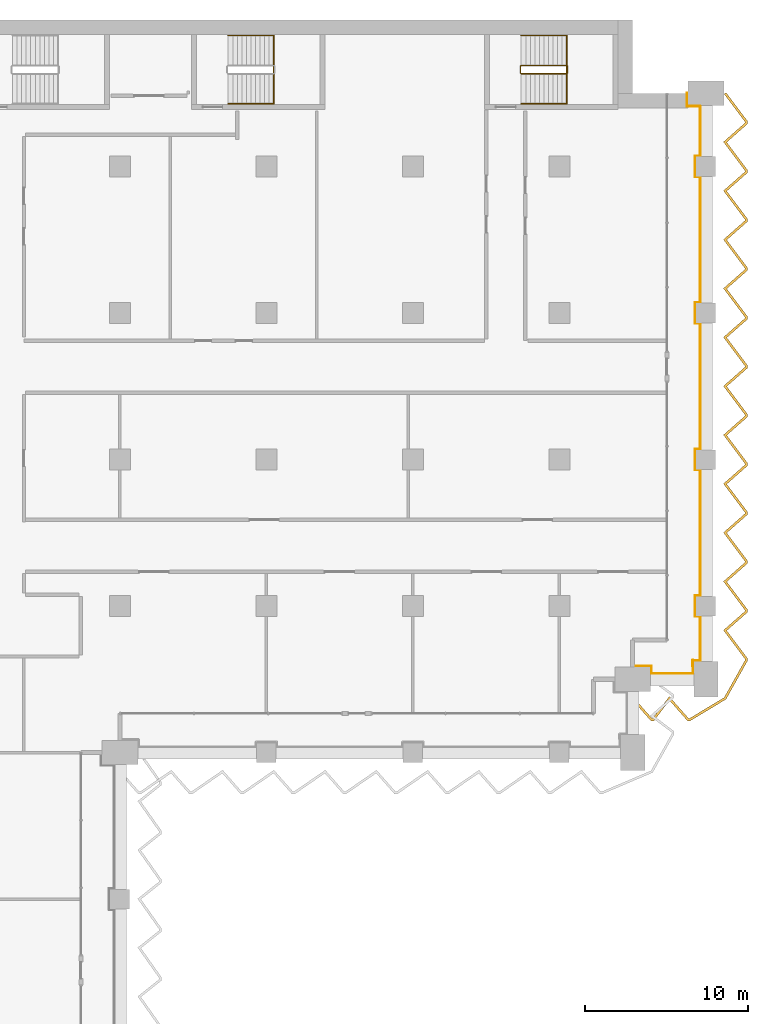
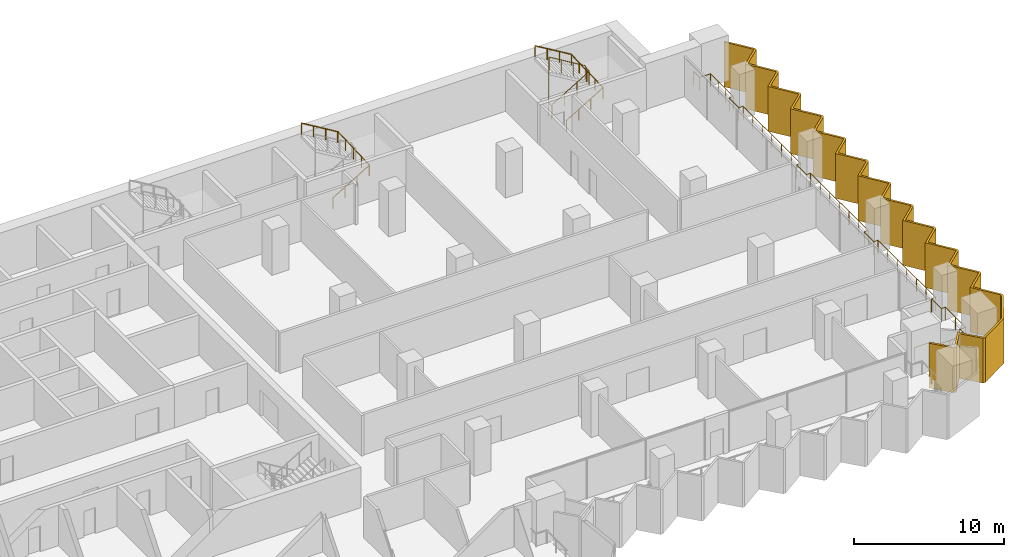
# One storey, part 23 of 23: 4 railings, 1 shading device.
"""IFC4 building model written with IfcOpenShell, lengths in metres."""

from ifc_helpers import new_model, si_unit, direction, frame, origin, origin_2d, place, context, subcontext, project, spatial, polyline, circle, outline, extrude, material, layer, layer_set, type_object, element, save


model = new_model("IFC4")

# Units and contexts
model_context = context("Model", 3, precision=1e-05, world=origin(), true_north=direction((0.0, 1.0)))
body_context = subcontext(model_context, "Body", "Model", "MODEL_VIEW")
ifc_project = project(units=[si_unit("LENGTHUNIT", "METRE"), si_unit("AREAUNIT", "SQUARE_METRE"), si_unit("VOLUMEUNIT", "CUBIC_METRE"), si_unit("PLANEANGLEUNIT", "RADIAN"), si_unit("MASSUNIT", "GRAM", prefix="KILO")], contexts=[model_context])

# Site, building, storey
site_placement = place(None, origin())
site = spatial("IfcSite", under=ifc_project, at=site_placement, CompositionType="ELEMENT")
building_placement = place(site_placement, origin())
building = spatial("IfcBuilding", under=site, at=building_placement, Name="Hunhe Ridgeline Campus", CompositionType="ELEMENT")
storey_placement = place(building_placement, frame((0.0, 0.0, 110.699951171875)))
storey = spatial("IfcBuildingStorey", under=building, at=storey_placement, Name="L27", CompositionType="ELEMENT", Elevation=110.699951171875)

# Railing
ifc_material_1 = material(Name="Steel Q355", Category="steel")
railing_type_1 = type_object("IfcRailingType", Name="Loggia guard 1100 Steel Q355", PredefinedType="GUARDRAIL", material=ifc_material_1)
railing_1_placement = place(storey_placement, frame((76.5, 59.320068359375, 0.0)))
element("IfcRailing", 1, at=railing_1_placement, inside=storey, type_object=railing_type_1, Name="Loggia guard 3", PredefinedType="GUARDRAIL", context=body_context, shape_type="SweptSolid", body=[
    extrude(circle(Radius=0.02392578125, at=origin_2d()), frame((0.0, 0.0, 1.076171875), z_axis=(1.0, 0.0, 0.0), x_axis=(0.0, 1.0, 0.0)), (0.0, 0.0, 1.0), 1.14990234375),
    extrude(circle(Radius=0.02392578125, at=origin_2d()), frame((1.14990234375, 0.0, 1.076171875), z_axis=(0.0, -1.0, 0.0), x_axis=(1.0, 0.0, 0.0)), (0.0, 0.0, 1.0), 0.469970703125),
    extrude(circle(Radius=0.02392578125, at=origin_2d()), frame((1.14990234375, -0.469970703125, 1.076171875), z_axis=(1.0, 0.0, 0.0), x_axis=(0.0, 1.0, 0.0)), (0.0, 0.0, 1.0), 2.550048828125),
    extrude(circle(Radius=0.02392578125, at=origin_2d()), frame((3.699951171875, -0.469970703125, 1.076171875), z_axis=(0.0, 1.0, 0.0), x_axis=(-1.0, 0.0, 0.0)), (0.0, 0.0, 1.0), 0.81982421875),
    extrude(circle(Radius=0.02392578125, at=origin_2d()), frame((3.699951171875, 0.349853515625, 1.076171875), z_axis=(-0.057129153726, -0.99836679622, 0.0), x_axis=(0.99836679622, -0.057129153726, 0.0)), (0.0, 0.0, 1.0), 0.350341796875),
    extrude(circle(Radius=0.02392578125, at=origin_2d()), frame((3.679931640625, 0.0, 1.076171875), z_axis=(0.0, 1.0, 0.0), x_axis=(-1.0, 0.0, 0.0)), (0.0, 0.0, 1.0), 0.329833984375),
    extrude(circle(Radius=0.02392578125, at=origin_2d()), frame((3.679931640625, 0.329833984375, 1.076171875), z_axis=(1.0, 0.0, 0.0), x_axis=(0.0, 1.0, 0.0)), (0.0, 0.0, 1.0), 0.469970703125),
    extrude(circle(Radius=0.02392578125, at=origin_2d()), frame((4.14990234375, 0.329833984375, 1.076171875), z_axis=(0.0, 1.0, 0.0), x_axis=(-1.0, 0.0, 0.0)), (0.0, 0.0, 1.0), 2.7001953125),
    extrude(circle(Radius=0.02392578125, at=origin_2d()), frame((4.14990234375, 3.030029296875, 1.076171875), z_axis=(-1.0, 0.0, 0.0), x_axis=(0.0, -1.0, 0.0)), (0.0, 0.0, 1.0), 0.31982421875),
    extrude(circle(Radius=0.02392578125, at=origin_2d()), frame((3.830078125, 3.030029296875, 1.076171875), z_axis=(0.0, 1.0, 0.0), x_axis=(-1.0, 0.0, 0.0)), (0.0, 0.0, 1.0), 1.2998046875),
    extrude(circle(Radius=0.02392578125, at=origin_2d()), frame((3.830078125, 4.329833984375, 1.076171875), z_axis=(1.0, 0.0, 0.0), x_axis=(0.0, 1.0, 0.0)), (0.0, 0.0, 1.0), 0.31982421875),
    extrude(circle(Radius=0.02392578125, at=origin_2d()), frame((4.14990234375, 4.329833984375, 1.076171875), z_axis=(0.0, 1.0, 0.0), x_axis=(-1.0, 0.0, 0.0)), (0.0, 0.0, 1.0), 7.7001953125),
    extrude(circle(Radius=0.02392578125, at=origin_2d()), frame((4.14990234375, 12.030029296875, 1.076171875), z_axis=(-1.0, 0.0, 0.0), x_axis=(0.0, -1.0, 0.0)), (0.0, 0.0, 1.0), 0.31982421875),
    extrude(circle(Radius=0.02392578125, at=origin_2d()), frame((3.830078125, 12.030029296875, 1.076171875), z_axis=(0.0, 1.0, 0.0), x_axis=(-1.0, 0.0, 0.0)), (0.0, 0.0, 1.0), 1.2998046875),
    extrude(circle(Radius=0.02392578125, at=origin_2d()), frame((3.830078125, 13.329833984375, 1.076171875), z_axis=(1.0, 0.0, 0.0), x_axis=(0.0, 1.0, 0.0)), (0.0, 0.0, 1.0), 0.31982421875),
    extrude(circle(Radius=0.02392578125, at=origin_2d()), frame((4.14990234375, 13.329833984375, 1.076171875), z_axis=(0.0, 1.0, 0.0), x_axis=(-1.0, 0.0, 0.0)), (0.0, 0.0, 1.0), 7.7001953125),
    extrude(circle(Radius=0.02392578125, at=origin_2d()), frame((4.14990234375, 21.030029296875, 1.076171875), z_axis=(-1.0, 0.0, 0.0), x_axis=(0.0, -1.0, 0.0)), (0.0, 0.0, 1.0), 0.31982421875),
    extrude(circle(Radius=0.02392578125, at=origin_2d()), frame((3.830078125, 21.030029296875, 1.076171875), z_axis=(0.0, 1.0, 0.0), x_axis=(-1.0, 0.0, 0.0)), (0.0, 0.0, 1.0), 1.2998046875),
    extrude(circle(Radius=0.02392578125, at=origin_2d()), frame((3.830078125, 22.329833984375, 1.076171875), z_axis=(1.0, 0.0, 0.0), x_axis=(0.0, 1.0, 0.0)), (0.0, 0.0, 1.0), 0.31982421875),
    extrude(circle(Radius=0.02392578125, at=origin_2d()), frame((4.14990234375, 22.329833984375, 1.076171875), z_axis=(0.0, 1.0, 0.0), x_axis=(-1.0, 0.0, 0.0)), (0.0, 0.0, 1.0), 7.7001953125),
    extrude(circle(Radius=0.02392578125, at=origin_2d()), frame((4.14990234375, 30.030029296875, 1.076171875), z_axis=(-1.0, 0.0, 0.0), x_axis=(0.0, -1.0, 0.0)), (0.0, 0.0, 1.0), 0.31982421875),
    extrude(circle(Radius=0.02392578125, at=origin_2d()), frame((3.830078125, 30.030029296875, 1.076171875), z_axis=(0.0, 1.0, 0.0), x_axis=(-1.0, 0.0, 0.0)), (0.0, 0.0, 1.0), 1.2998046875),
    extrude(circle(Radius=0.02392578125, at=origin_2d()), frame((3.830078125, 31.329833984375, 1.076171875), z_axis=(1.0, 0.0, 0.0), x_axis=(0.0, 1.0, 0.0)), (0.0, 0.0, 1.0), 0.31982421875),
    extrude(circle(Radius=0.02392578125, at=origin_2d()), frame((4.14990234375, 31.329833984375, 1.076171875), z_axis=(0.0, 1.0, 0.0), x_axis=(-1.0, 0.0, 0.0)), (0.0, 0.0, 1.0), 3.050048828125),
    extrude(circle(Radius=0.02392578125, at=origin_2d()), frame((4.14990234375, 34.3798828125, 1.076171875), z_axis=(-1.0, 0.0, 0.0), x_axis=(0.0, -1.0, 0.0)), (0.0, 0.0, 1.0), 0.81982421875),
    extrude(circle(Radius=0.02392578125, at=origin_2d()), frame((3.330078125, 34.3798828125, 1.076171875), z_axis=(0.0, 1.0, 0.0), x_axis=(-1.0, 0.0, 0.0)), (0.0, 0.0, 1.0), 0.800048828125),
    extrude(circle(Radius=0.02099609375, at=origin_2d()), origin(), (0.0, 0.0, 1.0), 1.052001953125),
    extrude(circle(Radius=0.02099609375, at=origin_2d()), frame((1.14990234375, 0.0, 0.0)), (0.0, 0.0, 1.0), 1.052001953125),
    extrude(circle(Radius=0.02099609375, at=origin_2d()), frame((1.14990234375, -0.469970703125, 0.0)), (0.0, 0.0, 1.0), 1.052001953125),
    extrude(circle(Radius=0.02099609375, at=origin_2d()), frame((2.4248046875, -0.469970703125, 0.0)), (0.0, 0.0, 1.0), 1.052001953125),
    extrude(circle(Radius=0.02099609375, at=origin_2d()), frame((3.699951171875, -0.469970703125, 0.0)), (0.0, 0.0, 1.0), 1.052001953125),
    extrude(circle(Radius=0.02099609375, at=origin_2d()), frame((3.699951171875, 0.349853515625, 0.0)), (0.0, 0.0, 1.0), 1.052001953125),
    extrude(circle(Radius=0.02099609375, at=origin_2d()), frame((3.679931640625, 0.0, 0.0)), (0.0, 0.0, 1.0), 1.052001953125),
    extrude(circle(Radius=0.02099609375, at=origin_2d()), frame((3.679931640625, 0.329833984375, 0.0)), (0.0, 0.0, 1.0), 1.052001953125),
    extrude(circle(Radius=0.02099609375, at=origin_2d()), frame((4.14990234375, 0.329833984375, 0.0)), (0.0, 0.0, 1.0), 1.052001953125),
    extrude(circle(Radius=0.02099609375, at=origin_2d()), frame((4.14990234375, 1.679931640625, 0.0)), (0.0, 0.0, 1.0), 1.052001953125),
    extrude(circle(Radius=0.02099609375, at=origin_2d()), frame((4.14990234375, 3.030029296875, 0.0)), (0.0, 0.0, 1.0), 1.052001953125),
    extrude(circle(Radius=0.02099609375, at=origin_2d()), frame((3.830078125, 3.030029296875, 0.0)), (0.0, 0.0, 1.0), 1.052001953125),
    extrude(circle(Radius=0.02099609375, at=origin_2d()), frame((3.830078125, 4.329833984375, 0.0)), (0.0, 0.0, 1.0), 1.052001953125),
    extrude(circle(Radius=0.02099609375, at=origin_2d()), frame((4.14990234375, 4.329833984375, 0.0)), (0.0, 0.0, 1.0), 1.052001953125),
    extrude(circle(Radius=0.02099609375, at=origin_2d()), frame((4.14990234375, 5.61328125, 0.0)), (0.0, 0.0, 1.0), 1.052001953125),
    extrude(circle(Radius=0.02099609375, at=origin_2d()), frame((4.14990234375, 6.896484375, 0.0)), (0.0, 0.0, 1.0), 1.052001953125),
    extrude(circle(Radius=0.02099609375, at=origin_2d()), frame((4.14990234375, 8.179931640625, 0.0)), (0.0, 0.0, 1.0), 1.052001953125),
    extrude(circle(Radius=0.02099609375, at=origin_2d()), frame((4.14990234375, 9.46337890625, 0.0)), (0.0, 0.0, 1.0), 1.052001953125),
    extrude(circle(Radius=0.02099609375, at=origin_2d()), frame((4.14990234375, 10.74658203125, 0.0)), (0.0, 0.0, 1.0), 1.052001953125),
    extrude(circle(Radius=0.02099609375, at=origin_2d()), frame((4.14990234375, 12.030029296875, 0.0)), (0.0, 0.0, 1.0), 1.052001953125),
    extrude(circle(Radius=0.02099609375, at=origin_2d()), frame((3.830078125, 12.030029296875, 0.0)), (0.0, 0.0, 1.0), 1.052001953125),
    extrude(circle(Radius=0.02099609375, at=origin_2d()), frame((3.830078125, 13.329833984375, 0.0)), (0.0, 0.0, 1.0), 1.052001953125),
    extrude(circle(Radius=0.02099609375, at=origin_2d()), frame((4.14990234375, 13.329833984375, 0.0)), (0.0, 0.0, 1.0), 1.052001953125),
    extrude(circle(Radius=0.02099609375, at=origin_2d()), frame((4.14990234375, 14.61328125, 0.0)), (0.0, 0.0, 1.0), 1.052001953125),
    extrude(circle(Radius=0.02099609375, at=origin_2d()), frame((4.14990234375, 15.896484375, 0.0)), (0.0, 0.0, 1.0), 1.052001953125),
    extrude(circle(Radius=0.02099609375, at=origin_2d()), frame((4.14990234375, 17.179931640625, 0.0)), (0.0, 0.0, 1.0), 1.052001953125),
    extrude(circle(Radius=0.02099609375, at=origin_2d()), frame((4.14990234375, 18.46337890625, 0.0)), (0.0, 0.0, 1.0), 1.052001953125),
    extrude(circle(Radius=0.02099609375, at=origin_2d()), frame((4.14990234375, 19.74658203125, 0.0)), (0.0, 0.0, 1.0), 1.052001953125),
    extrude(circle(Radius=0.02099609375, at=origin_2d()), frame((4.14990234375, 21.030029296875, 0.0)), (0.0, 0.0, 1.0), 1.052001953125),
    extrude(circle(Radius=0.02099609375, at=origin_2d()), frame((3.830078125, 21.030029296875, 0.0)), (0.0, 0.0, 1.0), 1.052001953125),
    extrude(circle(Radius=0.02099609375, at=origin_2d()), frame((3.830078125, 22.329833984375, 0.0)), (0.0, 0.0, 1.0), 1.052001953125),
    extrude(circle(Radius=0.02099609375, at=origin_2d()), frame((4.14990234375, 22.329833984375, 0.0)), (0.0, 0.0, 1.0), 1.052001953125),
    extrude(circle(Radius=0.02099609375, at=origin_2d()), frame((4.14990234375, 23.61328125, 0.0)), (0.0, 0.0, 1.0), 1.052001953125),
    extrude(circle(Radius=0.02099609375, at=origin_2d()), frame((4.14990234375, 24.896484375, 0.0)), (0.0, 0.0, 1.0), 1.052001953125),
    extrude(circle(Radius=0.02099609375, at=origin_2d()), frame((4.14990234375, 26.179931640625, 0.0)), (0.0, 0.0, 1.0), 1.052001953125),
    extrude(circle(Radius=0.02099609375, at=origin_2d()), frame((4.14990234375, 27.46337890625, 0.0)), (0.0, 0.0, 1.0), 1.052001953125),
    extrude(circle(Radius=0.02099609375, at=origin_2d()), frame((4.14990234375, 28.74658203125, 0.0)), (0.0, 0.0, 1.0), 1.052001953125),
    extrude(circle(Radius=0.02099609375, at=origin_2d()), frame((4.14990234375, 30.030029296875, 0.0)), (0.0, 0.0, 1.0), 1.052001953125),
    extrude(circle(Radius=0.02099609375, at=origin_2d()), frame((3.830078125, 30.030029296875, 0.0)), (0.0, 0.0, 1.0), 1.052001953125),
    extrude(circle(Radius=0.02099609375, at=origin_2d()), frame((3.830078125, 31.329833984375, 0.0)), (0.0, 0.0, 1.0), 1.052001953125),
    extrude(circle(Radius=0.02099609375, at=origin_2d()), frame((4.14990234375, 31.329833984375, 0.0)), (0.0, 0.0, 1.0), 1.052001953125),
    extrude(circle(Radius=0.02099609375, at=origin_2d()), frame((4.14990234375, 32.346435546875, 0.0)), (0.0, 0.0, 1.0), 1.052001953125),
    extrude(circle(Radius=0.02099609375, at=origin_2d()), frame((4.14990234375, 33.36328125, 0.0)), (0.0, 0.0, 1.0), 1.052001953125),
    extrude(circle(Radius=0.02099609375, at=origin_2d()), frame((4.14990234375, 34.3798828125, 0.0)), (0.0, 0.0, 1.0), 1.052001953125),
    extrude(circle(Radius=0.02099609375, at=origin_2d()), frame((3.330078125, 34.3798828125, 0.0)), (0.0, 0.0, 1.0), 1.052001953125),
    extrude(circle(Radius=0.02099609375, at=origin_2d()), frame((3.330078125, 35.179931640625, 0.0)), (0.0, 0.0, 1.0), 1.052001953125),
])

# Shading device
ifc_material_2 = material(Name="Concrete C50", Category="concrete")
ifc_layer = layer(ifc_material_2, 0.14990234375)
ifc_layer_set = layer_set([ifc_layer], Name="Sawtooth concrete fin 150 Concrete C50")
shading_device_type = type_object("IfcShadingDeviceType", Name="Sawtooth concrete fin 150 Concrete C50", PredefinedType="USERDEFINED", material=ifc_layer_set)
shading_device_placement = place(storey_placement, frame((0.0, 0.0, -0.949951171875)))
element("IfcShadingDevice", 2, at=shading_device_placement, inside=storey, type_object=shading_device_type, Name="Concrete fin screen 3", ObjectType="FIN", PredefinedType="USERDEFINED", context=body_context, shape_type="SweptSolid", body=[
    extrude(outline(polyline([(76.55615234375, 57.37451171875), (76.44384765625, 57.275390625), (77.61328125, 55.949951171875), (77.804443359375, 55.949951171875), (78.75439453125, 57.20654296875), (79.86328125, 55.949951171875), (80.037841796875, 55.949951171875), (82.230712890625, 57.27099609375), (83.550048828125, 59.62744140625), (83.550048828125, 59.792236328125), (82.276611328125, 61.489501953125), (83.550048828125, 62.61328125), (83.550048828125, 62.792236328125), (82.276611328125, 64.489501953125), (83.550048828125, 65.61328125), (83.550048828125, 65.792236328125), (82.276611328125, 67.489501953125), (83.550048828125, 68.61328125), (83.550048828125, 68.792236328125), (82.276611328125, 70.489501953125), (83.550048828125, 71.61328125), (83.550048828125, 71.792236328125), (82.276611328125, 73.489501953125), (83.550048828125, 74.61328125), (83.550048828125, 74.792236328125), (82.276611328125, 76.489501953125), (83.550048828125, 77.61328125), (83.550048828125, 77.792236328125), (82.276611328125, 79.489501953125), (83.550048828125, 80.61328125), (83.550048828125, 80.792236328125), (82.276611328125, 82.489501953125), (83.550048828125, 83.61328125), (83.550048828125, 83.792236328125), (82.276611328125, 85.489501953125), (83.550048828125, 86.61328125), (83.550048828125, 86.792236328125), (82.276611328125, 88.489501953125), (83.550048828125, 89.61328125), (83.550048828125, 89.792236328125), (82.276611328125, 91.489501953125), (83.550048828125, 92.61328125), (83.550048828125, 92.792236328125), (82.235107421875, 94.544921875), (82.114990234375, 94.455078125), (83.39990234375, 92.7421875), (83.39990234375, 92.680908203125), (82.073486328125, 91.510498046875), (83.39990234375, 89.7421875), (83.39990234375, 89.680908203125), (82.073486328125, 88.510498046875), (83.39990234375, 86.7421875), (83.39990234375, 86.680908203125), (82.073486328125, 85.510498046875), (83.39990234375, 83.7421875), (83.39990234375, 83.680908203125), (82.073486328125, 82.510498046875), (83.39990234375, 80.7421875), (83.39990234375, 80.680908203125), (82.073486328125, 79.510498046875), (83.39990234375, 77.7421875), (83.39990234375, 77.680908203125), (82.073486328125, 76.510498046875), (83.39990234375, 74.7421875), (83.39990234375, 74.680908203125), (82.073486328125, 73.510498046875), (83.39990234375, 71.7421875), (83.39990234375, 71.680908203125), (82.073486328125, 70.510498046875), (83.39990234375, 68.7421875), (83.39990234375, 68.680908203125), (82.073486328125, 67.510498046875), (83.39990234375, 65.7421875), (83.39990234375, 65.680908203125), (82.073486328125, 64.510498046875), (83.39990234375, 62.7421875), (83.39990234375, 62.680908203125), (82.073486328125, 61.510498046875), (83.39990234375, 59.7421875), (83.39990234375, 59.666748046875), (82.119384765625, 57.37890625), (79.996337890625, 56.10009765625), (79.930908203125, 56.10009765625), (78.74560546875, 57.443359375), (77.729736328125, 56.10009765625), (77.680908203125, 56.10009765625), (76.55615234375, 57.37451171875)])), origin(), (0.0, 0.0, 1.0), 3.64990234375),
])

# Railings
ifc_material_3 = material(Name="Stainless steel balustrade", Category="steel")
railing_type_2 = type_object("IfcRailingType", Name="Stair guard 1100 stainless", PredefinedType="GUARDRAIL", material=ifc_material_3)
railing_2_placement = place(storey_placement, frame((69.64990234375, 95.699951171875, 0.168212890625)))
element("IfcRailing", 3, at=railing_2_placement, inside=storey, type_object=railing_type_2, Name="L27 stair E3 guard", PredefinedType="GUARDRAIL", context=body_context, shape_type="SweptSolid", body=[
    extrude(circle(Radius=0.02392578125, at=origin_2d()), frame((0.0, 0.0, 1.076171875), z_axis=(0.857242210791, 0.0, 0.514913383045), x_axis=(0.0, 1.0, 0.0)), (0.0, 0.0, 1.0), 3.266357421875),
    extrude(circle(Radius=0.02392578125, at=origin_2d()), frame((2.800048828125, 0.0, 2.7578125), z_axis=(0.707106781187, 0.707106781187, 0.0), x_axis=(-0.707106781187, 0.707106781187, 0.0)), (0.0, 0.0, 1.0), 0.07080078125),
    extrude(circle(Radius=0.02392578125, at=origin_2d()), frame((2.85009765625, 0.050048828125, 2.7578125), z_axis=(0.0, 1.0, 0.0), x_axis=(-1.0, 0.0, 0.0)), (0.0, 0.0, 1.0), 0.39990234375),
    extrude(circle(Radius=0.02392578125, at=origin_2d()), frame((2.85009765625, 0.449951171875, 2.7578125), z_axis=(-0.274243871929, 0.274243871929, 0.92172696468), x_axis=(-0.707106781187, -0.707106781187, 0.0)), (0.0, 0.0, 1.0), 0.1826171875),
    extrude(circle(Radius=0.02392578125, at=origin_2d()), frame((2.800048828125, 0.5, 2.92626953125), z_axis=(-0.857275202839, 0.0, 0.514858452973), x_axis=(0.0, -1.0, 0.0)), (0.0, 0.0, 1.0), 3.26611328125),
    extrude(circle(Radius=0.02392578125, at=origin_2d()), frame((0.0, 0.5, 4.60791015625), z_axis=(-0.013458453615, -0.013524426427, -0.999817963389), x_axis=(0.708833529934, -0.705375805398, 0.0)), (0.0, 0.0, 1.0), 3.70068359375),
    extrude(circle(Radius=0.02392578125, at=origin_2d()), frame((-0.0498046875, 0.449951171875, 0.90771484375), z_axis=(0.0, -1.0, 0.0), x_axis=(1.0, 0.0, 0.0)), (0.0, 0.0, 1.0), 0.39990234375),
    extrude(circle(Radius=0.02099609375, at=origin_2d()), origin(), (0.0, 0.0, 1.0), 1.052001953125),
    extrude(circle(Radius=0.02099609375, at=origin_2d()), frame((0.933349609375, 0.0, 0.560546875)), (0.0, 0.0, 1.0), 1.052001953125),
    extrude(circle(Radius=0.02099609375, at=origin_2d()), frame((1.86669921875, 0.0, 1.121337890625)), (0.0, 0.0, 1.0), 1.052001953125),
    extrude(circle(Radius=0.02099609375, at=origin_2d()), frame((2.800048828125, 0.0, 1.681884765625)), (0.0, 0.0, 1.0), 1.052001953125),
    extrude(circle(Radius=0.02099609375, at=origin_2d()), frame((2.85009765625, 0.050048828125, 1.681884765625)), (0.0, 0.0, 1.0), 1.052001953125),
    extrude(circle(Radius=0.02099609375, at=origin_2d()), frame((2.85009765625, 0.449951171875, 1.681884765625)), (0.0, 0.0, 1.0), 1.052001953125),
    extrude(circle(Radius=0.02099609375, at=origin_2d()), frame((2.800048828125, 0.5, 1.85009765625)), (0.0, 0.0, 1.0), 1.052001953125),
    extrude(circle(Radius=0.02099609375, at=origin_2d()), frame((1.86669921875, 0.5, 2.41064453125)), (0.0, 0.0, 1.0), 1.052001953125),
    extrude(circle(Radius=0.02099609375, at=origin_2d()), frame((0.933349609375, 0.5, 2.97119140625)), (0.0, 0.0, 1.0), 1.052001953125),
    extrude(circle(Radius=0.02099609375, at=origin_2d()), frame((0.0, 0.5, 3.53173828125)), (0.0, 0.0, 1.0), 1.052001953125),
    extrude(circle(Radius=0.02099609375, at=origin_2d()), frame((-0.012451171875, 0.487548828125, 2.606689453125)), (0.0, 0.0, 1.0), 1.052001953125),
    extrude(circle(Radius=0.02099609375, at=origin_2d()), frame((-0.02490234375, 0.47509765625, 1.681640625)), (0.0, 0.0, 1.0), 1.052001953125),
    extrude(circle(Radius=0.02099609375, at=origin_2d()), frame((-0.037353515625, 0.46240234375, 0.7568359375)), (0.0, 0.0, 1.0), 1.052001953125),
    extrude(circle(Radius=0.02099609375, at=origin_2d()), frame((-0.0498046875, 0.449951171875, -0.168212890625)), (0.0, 0.0, 1.0), 1.052001953125),
    extrude(circle(Radius=0.02099609375, at=origin_2d()), frame((-0.0498046875, 0.050048828125, -0.168212890625)), (0.0, 0.0, 1.0), 1.052001953125),
])
ifc_material_4 = material(Name="Stainless steel handrail", Category="steel")
railing_type_3 = type_object("IfcRailingType", Name="Stair handrail 900 stainless", PredefinedType="HANDRAIL", material=ifc_material_4)
railing_3_placement = place(storey_placement, frame((51.64990234375, 93.85009765625, 0.168212890625)))
element("IfcRailing", 4, at=railing_3_placement, inside=storey, type_object=railing_type_3, Name="L27 stair E2 handrail", PredefinedType="HANDRAIL", context=body_context, shape_type="SweptSolid", body=[
    extrude(circle(Radius=0.02392578125, at=origin_2d()), frame((0.0, 0.0, 0.8759765625), z_axis=(0.857242210791, 0.0, 0.514913383045), x_axis=(0.0, 1.0, 0.0)), (0.0, 0.0, 1.0), 3.266357421875),
    extrude(circle(Radius=0.02392578125, at=origin_2d()), frame((2.800048828125, 0.0, 2.5576171875), z_axis=(0.0, 0.999198916169, 0.040019069537), x_axis=(-1.0, 0.0, 0.0)), (0.0, 0.0, 1.0), 4.203369140625),
    extrude(circle(Radius=0.02392578125, at=origin_2d()), frame((2.800048828125, 4.199951171875, 2.72607421875), z_axis=(-0.857275202839, 0.0, 0.514858452973), x_axis=(0.0, -1.0, 0.0)), (0.0, 0.0, 1.0), 3.26611328125),
    extrude(circle(Radius=0.02099609375, at=origin_2d()), origin(), (0.0, 0.0, 1.0), 0.851806640625),
    extrude(circle(Radius=0.02099609375, at=origin_2d()), frame((0.933349609375, 0.0, 0.560546875)), (0.0, 0.0, 1.0), 0.851806640625),
    extrude(circle(Radius=0.02099609375, at=origin_2d()), frame((1.86669921875, 0.0, 1.121337890625)), (0.0, 0.0, 1.0), 0.851806640625),
    extrude(circle(Radius=0.02099609375, at=origin_2d()), frame((2.800048828125, 0.0, 1.681884765625)), (0.0, 0.0, 1.0), 0.851806640625),
    extrude(circle(Radius=0.02099609375, at=origin_2d()), frame((2.800048828125, 1.050048828125, 1.723876953125)), (0.0, 0.0, 1.0), 0.851806640625),
    extrude(circle(Radius=0.02099609375, at=origin_2d()), frame((2.800048828125, 2.10009765625, 1.76611328125)), (0.0, 0.0, 1.0), 0.851806640625),
    extrude(circle(Radius=0.02099609375, at=origin_2d()), frame((2.800048828125, 3.14990234375, 1.80810546875)), (0.0, 0.0, 1.0), 0.851806640625),
    extrude(circle(Radius=0.02099609375, at=origin_2d()), frame((2.800048828125, 4.199951171875, 1.85009765625)), (0.0, 0.0, 1.0), 0.851806640625),
    extrude(circle(Radius=0.02099609375, at=origin_2d()), frame((1.86669921875, 4.199951171875, 2.41064453125)), (0.0, 0.0, 1.0), 0.851806640625),
    extrude(circle(Radius=0.02099609375, at=origin_2d()), frame((0.933349609375, 4.199951171875, 2.97119140625)), (0.0, 0.0, 1.0), 0.851806640625),
    extrude(circle(Radius=0.02099609375, at=origin_2d()), frame((0.0, 4.199951171875, 3.53173828125)), (0.0, 0.0, 1.0), 0.851806640625),
])
railing_4_placement = place(storey_placement, frame((69.64990234375, 93.85009765625, 0.168212890625)))
element("IfcRailing", 5, at=railing_4_placement, inside=storey, type_object=railing_type_3, Name="L27 stair E3 handrail", PredefinedType="HANDRAIL", context=body_context, shape_type="SweptSolid", body=[
    extrude(circle(Radius=0.02392578125, at=origin_2d()), frame((0.0, 0.0, 0.8759765625), z_axis=(0.857242210791, 0.0, 0.514913383045), x_axis=(0.0, 1.0, 0.0)), (0.0, 0.0, 1.0), 3.266357421875),
    extrude(circle(Radius=0.02392578125, at=origin_2d()), frame((2.800048828125, 0.0, 2.5576171875), z_axis=(0.0, 0.999198916169, 0.040019069537), x_axis=(-1.0, 0.0, 0.0)), (0.0, 0.0, 1.0), 4.203369140625),
    extrude(circle(Radius=0.02392578125, at=origin_2d()), frame((2.800048828125, 4.199951171875, 2.72607421875), z_axis=(-0.857275202839, 0.0, 0.514858452973), x_axis=(0.0, -1.0, 0.0)), (0.0, 0.0, 1.0), 3.26611328125),
    extrude(circle(Radius=0.02099609375, at=origin_2d()), origin(), (0.0, 0.0, 1.0), 0.851806640625),
    extrude(circle(Radius=0.02099609375, at=origin_2d()), frame((0.933349609375, 0.0, 0.560546875)), (0.0, 0.0, 1.0), 0.851806640625),
    extrude(circle(Radius=0.02099609375, at=origin_2d()), frame((1.86669921875, 0.0, 1.121337890625)), (0.0, 0.0, 1.0), 0.851806640625),
    extrude(circle(Radius=0.02099609375, at=origin_2d()), frame((2.800048828125, 0.0, 1.681884765625)), (0.0, 0.0, 1.0), 0.851806640625),
    extrude(circle(Radius=0.02099609375, at=origin_2d()), frame((2.800048828125, 1.050048828125, 1.723876953125)), (0.0, 0.0, 1.0), 0.851806640625),
    extrude(circle(Radius=0.02099609375, at=origin_2d()), frame((2.800048828125, 2.10009765625, 1.76611328125)), (0.0, 0.0, 1.0), 0.851806640625),
    extrude(circle(Radius=0.02099609375, at=origin_2d()), frame((2.800048828125, 3.14990234375, 1.80810546875)), (0.0, 0.0, 1.0), 0.851806640625),
    extrude(circle(Radius=0.02099609375, at=origin_2d()), frame((2.800048828125, 4.199951171875, 1.85009765625)), (0.0, 0.0, 1.0), 0.851806640625),
    extrude(circle(Radius=0.02099609375, at=origin_2d()), frame((1.86669921875, 4.199951171875, 2.41064453125)), (0.0, 0.0, 1.0), 0.851806640625),
    extrude(circle(Radius=0.02099609375, at=origin_2d()), frame((0.933349609375, 4.199951171875, 2.97119140625)), (0.0, 0.0, 1.0), 0.851806640625),
    extrude(circle(Radius=0.02099609375, at=origin_2d()), frame((0.0, 4.199951171875, 3.53173828125)), (0.0, 0.0, 1.0), 0.851806640625),
])

save(model, "model.ifc")
